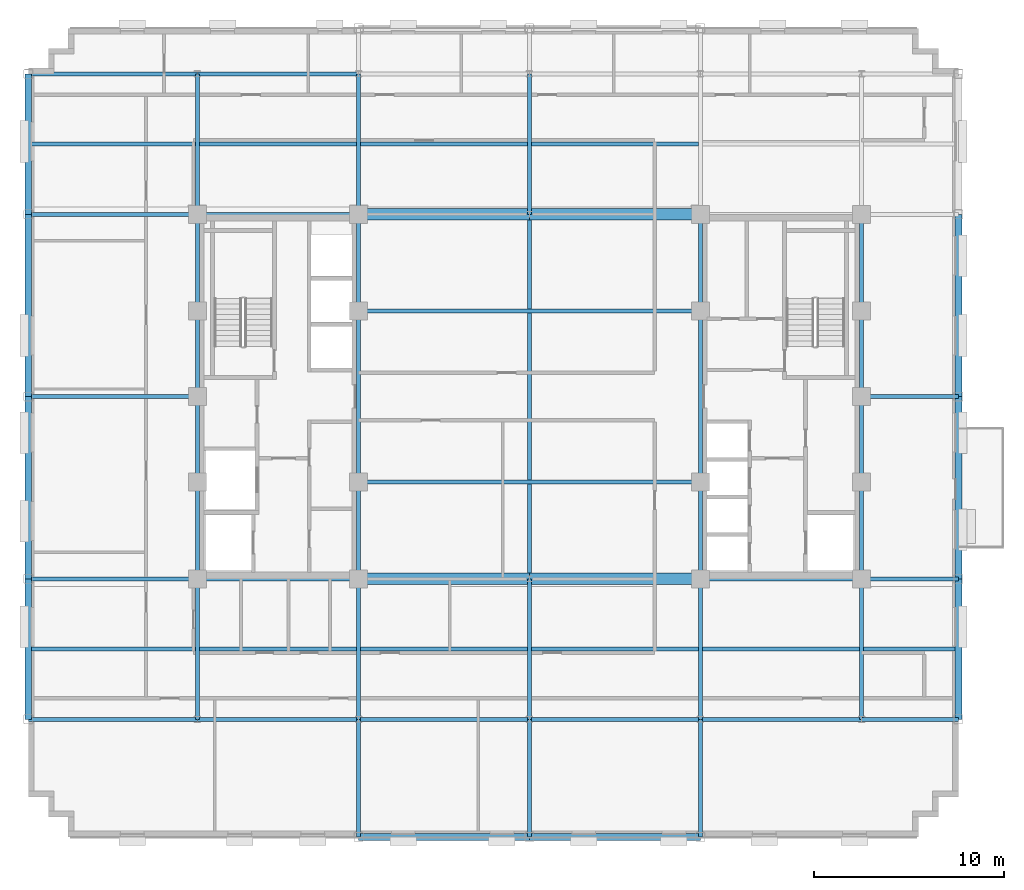
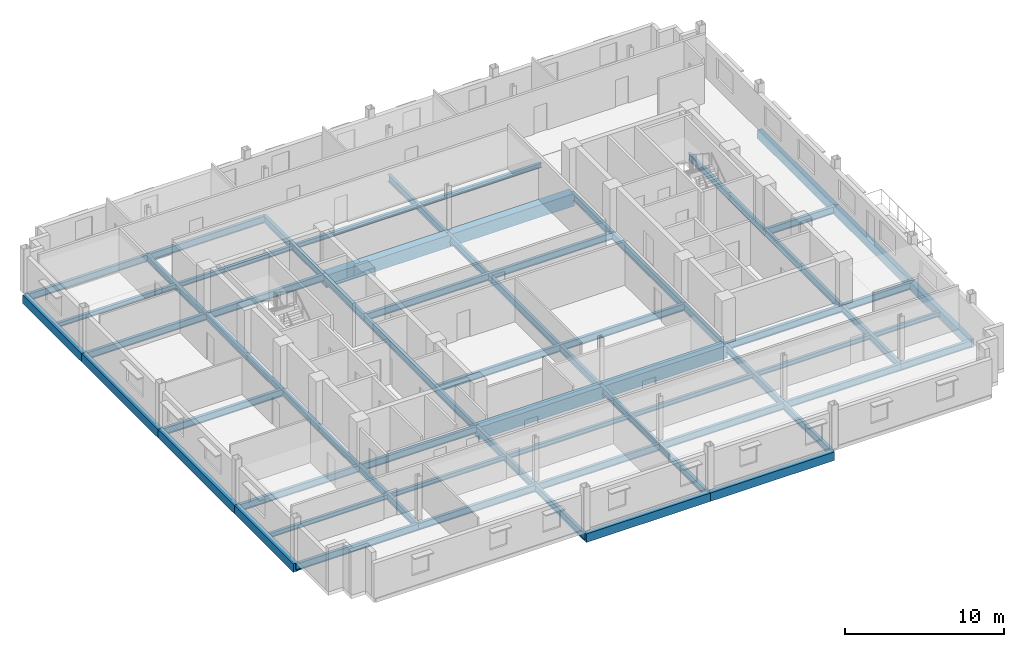
# One storey, part 5 of 15: 67 beams.
"""IFC4 building model written with IfcOpenShell, lengths in metres."""

from ifc_helpers import new_model, si_unit, direction, frame, origin, origin_2d, place, context, subcontext, project, spatial, rectangle, i_section, extrude, material, material_profile, profile_set, type_object, element, save


model = new_model("IFC4")

# Units and contexts
model_context = context("Model", 3, precision=1e-05, world=origin(), true_north=direction((0.0, 1.0)))
body_context = subcontext(model_context, "Body", "Model", "MODEL_VIEW")
ifc_project = project(units=[si_unit("LENGTHUNIT", "METRE"), si_unit("AREAUNIT", "SQUARE_METRE"), si_unit("VOLUMEUNIT", "CUBIC_METRE"), si_unit("PLANEANGLEUNIT", "RADIAN"), si_unit("MASSUNIT", "GRAM", prefix="KILO")], contexts=[model_context])

# Site, building, storey
site_placement = place(None, origin())
site = spatial("IfcSite", under=ifc_project, at=site_placement, CompositionType="ELEMENT")
building_placement = place(site_placement, origin())
building = spatial("IfcBuilding", under=site, at=building_placement, Name="Nuvemarco Arch Tower", CompositionType="ELEMENT")
storey_placement = place(building_placement, frame((0.0, 0.0, 201.85009765625)))
storey = spatial("IfcBuildingStorey", under=building, at=storey_placement, Name="L53", CompositionType="ELEMENT", Elevation=201.85009765625)

# Beams
ifc_material_1 = material(Name="Concrete C60/75", Category="concrete")
ifc_material_profile_1 = material_profile(ifc_material_1, rectangle(XDim=0.60009765625, YDim=0.949951171875, at=origin_2d()), Name="RC-BM-600x950")
ifc_profile_set_1 = profile_set([ifc_material_profile_1], Name="Concrete C60/75")
beam_type_1 = type_object("IfcBeamType", Name="BM-COUP-RC", PredefinedType="LINTEL", material=ifc_profile_set_1)
for number, where, z_axis, x_axis, name in (
    (1, (-9.0, -9.60009765625, -0.755126953125), (1.0, 0.0, 0.0), (0.0, 1.0, 0.0), "L53 structural beam BGEW_L53_0_-9.6_-9.0"),
    (2, (0.0, -9.60009765625, -0.755126953125), (1.0, 0.0, 0.0), (0.0, 1.0, 0.0), "L53 structural beam BGEW_L53_0_-9.6_+0.0"),
    (3, (-9.0, 9.60009765625, -0.755126953125), (1.0, 0.0, 0.0), (0.0, 1.0, 0.0), "L53 structural beam BGEW_L53_0_+9.6_-9.0"),
    (4, (0.0, 9.60009765625, -0.755126953125), (1.0, 0.0, 0.0), (0.0, 1.0, 0.0), "L53 structural beam BGEW_L53_0_+9.6_+0.0"),
):
    element("IfcBeam", number, at=place(storey_placement, frame(where, z_axis=z_axis, x_axis=x_axis)), inside=storey, type_object=beam_type_1, Name=name, PredefinedType="LINTEL", context=body_context, shape_type="SweptSolid", body=[
        extrude(rectangle(XDim=0.60009765625, YDim=0.949951171875, at=origin_2d()), origin(), (0.0, 0.0, 1.0), 9.0),
    ])
ifc_material_2 = material(Name="Steel S355", Category="steel")
ifc_material_profile_2 = material_profile(ifc_material_2, i_section(OverallWidth=0.2109375, OverallDepth=0.5390625, WebThickness=0.01171875, FlangeThickness=0.018798828125, FilletRadius=0.01611328125, at=origin_2d()), Name="W530x109")
ifc_profile_set_2 = profile_set([ifc_material_profile_2], Name="Steel S355")
beam_type_2 = type_object("IfcBeamType", Name="BM-GIRD-530", PredefinedType="BEAM", material=ifc_profile_set_2)
beam_1_placement = place(storey_placement, frame((-17.5, -17.0, -0.549560546875), z_axis=(0.0, 1.0, 0.0), x_axis=(-1.0, 0.0, 0.0)))
element("IfcBeam", 5, at=beam_1_placement, inside=storey, type_object=beam_type_2, Name="L53 structural beam BGNS_L53_0_-17.5_-17.0", PredefinedType="BEAM", context=body_context, shape_type="SweptSolid", body=[
    extrude(i_section(OverallWidth=0.2109375, OverallDepth=0.5390625, WebThickness=0.01171875, FlangeThickness=0.018798828125, FilletRadius=0.01611328125, at=origin_2d()), origin(), (0.0, 0.0, 1.0), 7.39990234375),
])
beam_2_placement = place(storey_placement, frame((-17.5, -9.60009765625, -0.549560546875), z_axis=(0.0, 1.0, 0.0), x_axis=(-1.0, 0.0, 0.0)))
element("IfcBeam", 6, at=beam_2_placement, inside=storey, type_object=beam_type_2, Name="L53 structural beam BGNS_L53_0_-17.5_-9.6", PredefinedType="BEAM", context=body_context, shape_type="SweptSolid", body=[
    extrude(i_section(OverallWidth=0.2109375, OverallDepth=0.5390625, WebThickness=0.01171875, FlangeThickness=0.018798828125, FilletRadius=0.01611328125, at=origin_2d()), origin(), (0.0, 0.0, 1.0), 5.10009765625),
])
for number, where, z_axis, x_axis, name in (
    (7, (-17.5, -4.5, -0.549560546875), (0.0, 1.0, 0.0), (-1.0, 0.0, 0.0), "L53 structural beam BGNS_L53_0_-17.5_-4.5"),
    (8, (-17.5, 0.0, -0.549560546875), (0.0, 1.0, 0.0), (-1.0, 0.0, 0.0), "L53 structural beam BGNS_L53_0_-17.5_+0.0"),
):
    element("IfcBeam", number, at=place(storey_placement, frame(where, z_axis=z_axis, x_axis=x_axis)), inside=storey, type_object=beam_type_2, Name=name, PredefinedType="BEAM", context=body_context, shape_type="SweptSolid", body=[
        extrude(i_section(OverallWidth=0.2109375, OverallDepth=0.5390625, WebThickness=0.01171875, FlangeThickness=0.018798828125, FilletRadius=0.01611328125, at=origin_2d()), origin(), (0.0, 0.0, 1.0), 4.5),
    ])
beam_3_placement = place(storey_placement, frame((-17.5, 4.5, -0.549560546875), z_axis=(0.0, 1.0, 0.0), x_axis=(-1.0, 0.0, 0.0)))
element("IfcBeam", 9, at=beam_3_placement, inside=storey, type_object=beam_type_2, Name="L53 structural beam BGNS_L53_0_-17.5_+4.5", PredefinedType="BEAM", context=body_context, shape_type="SweptSolid", body=[
    extrude(i_section(OverallWidth=0.2109375, OverallDepth=0.5390625, WebThickness=0.01171875, FlangeThickness=0.018798828125, FilletRadius=0.01611328125, at=origin_2d()), origin(), (0.0, 0.0, 1.0), 5.10009765625),
])
beam_4_placement = place(storey_placement, frame((-17.5, 9.60009765625, -0.549560546875), z_axis=(0.0, 1.0, 0.0), x_axis=(-1.0, 0.0, 0.0)))
element("IfcBeam", 10, at=beam_4_placement, inside=storey, type_object=beam_type_2, Name="L53 structural beam BGNS_L53_0_-17.5_+9.6", PredefinedType="BEAM", context=body_context, shape_type="SweptSolid", body=[
    extrude(i_section(OverallWidth=0.2109375, OverallDepth=0.5390625, WebThickness=0.01171875, FlangeThickness=0.018798828125, FilletRadius=0.01611328125, at=origin_2d()), origin(), (0.0, 0.0, 1.0), 7.39990234375),
])
beam_5_placement = place(storey_placement, frame((-9.0, -23.199951171875, -0.549560546875), z_axis=(0.0, 1.0, 0.0), x_axis=(-1.0, 0.0, 0.0)))
element("IfcBeam", 11, at=beam_5_placement, inside=storey, type_object=beam_type_2, Name="L53 structural beam BGNS_L53_0_-9.0_-23.2", PredefinedType="BEAM", context=body_context, shape_type="SweptSolid", body=[
    extrude(i_section(OverallWidth=0.2109375, OverallDepth=0.5390625, WebThickness=0.01171875, FlangeThickness=0.018798828125, FilletRadius=0.01611328125, at=origin_2d()), origin(), (0.0, 0.0, 1.0), 6.199951171875),
])
beam_6_placement = place(storey_placement, frame((-9.0, -17.0, -0.549560546875), z_axis=(0.0, 1.0, 0.0), x_axis=(-1.0, 0.0, 0.0)))
element("IfcBeam", 12, at=beam_6_placement, inside=storey, type_object=beam_type_2, Name="L53 structural beam BGNS_L53_0_-9.0_-17.0", PredefinedType="BEAM", context=body_context, shape_type="SweptSolid", body=[
    extrude(i_section(OverallWidth=0.2109375, OverallDepth=0.5390625, WebThickness=0.01171875, FlangeThickness=0.018798828125, FilletRadius=0.01611328125, at=origin_2d()), origin(), (0.0, 0.0, 1.0), 7.39990234375),
])
beam_7_placement = place(storey_placement, frame((-9.0, -9.60009765625, -0.549560546875), z_axis=(0.0, 1.0, 0.0), x_axis=(-1.0, 0.0, 0.0)))
element("IfcBeam", 13, at=beam_7_placement, inside=storey, type_object=beam_type_2, Name="L53 structural beam BGNS_L53_0_-9.0_-9.6", PredefinedType="BEAM", context=body_context, shape_type="SweptSolid", body=[
    extrude(i_section(OverallWidth=0.2109375, OverallDepth=0.5390625, WebThickness=0.01171875, FlangeThickness=0.018798828125, FilletRadius=0.01611328125, at=origin_2d()), origin(), (0.0, 0.0, 1.0), 5.10009765625),
])
beam_8_placement = place(storey_placement, frame((-9.0, -4.5, -0.549560546875), z_axis=(0.0, 1.0, 0.0), x_axis=(-1.0, 0.0, 0.0)))
element("IfcBeam", 14, at=beam_8_placement, inside=storey, type_object=beam_type_2, Name="L53 structural beam BGNS_L53_0_-9.0_-4.5", PredefinedType="BEAM", context=body_context, shape_type="SweptSolid", body=[
    extrude(i_section(OverallWidth=0.2109375, OverallDepth=0.5390625, WebThickness=0.01171875, FlangeThickness=0.018798828125, FilletRadius=0.01611328125, at=origin_2d()), origin(), (0.0, 0.0, 1.0), 9.0),
])
beam_9_placement = place(storey_placement, frame((-9.0, 4.5, -0.549560546875), z_axis=(0.0, 1.0, 0.0), x_axis=(-1.0, 0.0, 0.0)))
element("IfcBeam", 15, at=beam_9_placement, inside=storey, type_object=beam_type_2, Name="L53 structural beam BGNS_L53_0_-9.0_+4.5", PredefinedType="BEAM", context=body_context, shape_type="SweptSolid", body=[
    extrude(i_section(OverallWidth=0.2109375, OverallDepth=0.5390625, WebThickness=0.01171875, FlangeThickness=0.018798828125, FilletRadius=0.01611328125, at=origin_2d()), origin(), (0.0, 0.0, 1.0), 5.10009765625),
])
beam_10_placement = place(storey_placement, frame((-9.0, 9.60009765625, -0.549560546875), z_axis=(0.0, 1.0, 0.0), x_axis=(-1.0, 0.0, 0.0)))
element("IfcBeam", 16, at=beam_10_placement, inside=storey, type_object=beam_type_2, Name="L53 structural beam BGNS_L53_0_-9.0_+9.6", PredefinedType="BEAM", context=body_context, shape_type="SweptSolid", body=[
    extrude(i_section(OverallWidth=0.2109375, OverallDepth=0.5390625, WebThickness=0.01171875, FlangeThickness=0.018798828125, FilletRadius=0.01611328125, at=origin_2d()), origin(), (0.0, 0.0, 1.0), 7.39990234375),
])
beam_11_placement = place(storey_placement, frame((0.0, -23.199951171875, -0.549560546875), z_axis=(0.0, 1.0, 0.0), x_axis=(-1.0, 0.0, 0.0)))
element("IfcBeam", 17, at=beam_11_placement, inside=storey, type_object=beam_type_2, Name="L53 structural beam BGNS_L53_0_+0.0_-23.2", PredefinedType="BEAM", context=body_context, shape_type="SweptSolid", body=[
    extrude(i_section(OverallWidth=0.2109375, OverallDepth=0.5390625, WebThickness=0.01171875, FlangeThickness=0.018798828125, FilletRadius=0.01611328125, at=origin_2d()), origin(), (0.0, 0.0, 1.0), 6.199951171875),
])
beam_12_placement = place(storey_placement, frame((0.0, -17.0, -0.549560546875), z_axis=(0.0, 1.0, 0.0), x_axis=(-1.0, 0.0, 0.0)))
element("IfcBeam", 18, at=beam_12_placement, inside=storey, type_object=beam_type_2, Name="L53 structural beam BGNS_L53_0_+0.0_-17.0", PredefinedType="BEAM", context=body_context, shape_type="SweptSolid", body=[
    extrude(i_section(OverallWidth=0.2109375, OverallDepth=0.5390625, WebThickness=0.01171875, FlangeThickness=0.018798828125, FilletRadius=0.01611328125, at=origin_2d()), origin(), (0.0, 0.0, 1.0), 7.39990234375),
])
beam_13_placement = place(storey_placement, frame((0.0, -9.60009765625, -0.549560546875), z_axis=(0.0, 1.0, 0.0), x_axis=(-1.0, 0.0, 0.0)))
element("IfcBeam", 19, at=beam_13_placement, inside=storey, type_object=beam_type_2, Name="L53 structural beam BGNS_L53_0_+0.0_-9.6", PredefinedType="BEAM", context=body_context, shape_type="SweptSolid", body=[
    extrude(i_section(OverallWidth=0.2109375, OverallDepth=0.5390625, WebThickness=0.01171875, FlangeThickness=0.018798828125, FilletRadius=0.01611328125, at=origin_2d()), origin(), (0.0, 0.0, 1.0), 19.2001953125),
])
beam_14_placement = place(storey_placement, frame((0.0, 9.60009765625, -0.549560546875), z_axis=(0.0, 1.0, 0.0), x_axis=(-1.0, 0.0, 0.0)))
element("IfcBeam", 20, at=beam_14_placement, inside=storey, type_object=beam_type_2, Name="L53 structural beam BGNS_L53_0_+0.0_+9.6", PredefinedType="BEAM", context=body_context, shape_type="SweptSolid", body=[
    extrude(i_section(OverallWidth=0.2109375, OverallDepth=0.5390625, WebThickness=0.01171875, FlangeThickness=0.018798828125, FilletRadius=0.01611328125, at=origin_2d()), origin(), (0.0, 0.0, 1.0), 7.39990234375),
])
beam_15_placement = place(storey_placement, frame((9.0, -23.199951171875, -0.549560546875), z_axis=(0.0, 1.0, 0.0), x_axis=(-1.0, 0.0, 0.0)))
element("IfcBeam", 21, at=beam_15_placement, inside=storey, type_object=beam_type_2, Name="L53 structural beam BGNS_L53_0_+9.0_-23.2", PredefinedType="BEAM", context=body_context, shape_type="SweptSolid", body=[
    extrude(i_section(OverallWidth=0.2109375, OverallDepth=0.5390625, WebThickness=0.01171875, FlangeThickness=0.018798828125, FilletRadius=0.01611328125, at=origin_2d()), origin(), (0.0, 0.0, 1.0), 6.199951171875),
])
beam_16_placement = place(storey_placement, frame((9.0, -17.0, -0.549560546875), z_axis=(0.0, 1.0, 0.0), x_axis=(-1.0, 0.0, 0.0)))
element("IfcBeam", 22, at=beam_16_placement, inside=storey, type_object=beam_type_2, Name="L53 structural beam BGNS_L53_0_+9.0_-17.0", PredefinedType="BEAM", context=body_context, shape_type="SweptSolid", body=[
    extrude(i_section(OverallWidth=0.2109375, OverallDepth=0.5390625, WebThickness=0.01171875, FlangeThickness=0.018798828125, FilletRadius=0.01611328125, at=origin_2d()), origin(), (0.0, 0.0, 1.0), 7.39990234375),
])
beam_17_placement = place(storey_placement, frame((9.0, -9.60009765625, -0.549560546875), z_axis=(0.0, 1.0, 0.0), x_axis=(-1.0, 0.0, 0.0)))
element("IfcBeam", 23, at=beam_17_placement, inside=storey, type_object=beam_type_2, Name="L53 structural beam BGNS_L53_0_+9.0_-9.6", PredefinedType="BEAM", context=body_context, shape_type="SweptSolid", body=[
    extrude(i_section(OverallWidth=0.2109375, OverallDepth=0.5390625, WebThickness=0.01171875, FlangeThickness=0.018798828125, FilletRadius=0.01611328125, at=origin_2d()), origin(), (0.0, 0.0, 1.0), 5.10009765625),
])
beam_18_placement = place(storey_placement, frame((9.0, -4.5, -0.549560546875), z_axis=(0.0, 1.0, 0.0), x_axis=(-1.0, 0.0, 0.0)))
element("IfcBeam", 24, at=beam_18_placement, inside=storey, type_object=beam_type_2, Name="L53 structural beam BGNS_L53_0_+9.0_-4.5", PredefinedType="BEAM", context=body_context, shape_type="SweptSolid", body=[
    extrude(i_section(OverallWidth=0.2109375, OverallDepth=0.5390625, WebThickness=0.01171875, FlangeThickness=0.018798828125, FilletRadius=0.01611328125, at=origin_2d()), origin(), (0.0, 0.0, 1.0), 9.0),
])
beam_19_placement = place(storey_placement, frame((9.0, 4.5, -0.549560546875), z_axis=(0.0, 1.0, 0.0), x_axis=(-1.0, 0.0, 0.0)))
element("IfcBeam", 25, at=beam_19_placement, inside=storey, type_object=beam_type_2, Name="L53 structural beam BGNS_L53_0_+9.0_+4.5", PredefinedType="BEAM", context=body_context, shape_type="SweptSolid", body=[
    extrude(i_section(OverallWidth=0.2109375, OverallDepth=0.5390625, WebThickness=0.01171875, FlangeThickness=0.018798828125, FilletRadius=0.01611328125, at=origin_2d()), origin(), (0.0, 0.0, 1.0), 5.10009765625),
])
beam_20_placement = place(storey_placement, frame((17.5, -17.0, -0.549560546875), z_axis=(0.0, 1.0, 0.0), x_axis=(-1.0, 0.0, 0.0)))
element("IfcBeam", 26, at=beam_20_placement, inside=storey, type_object=beam_type_2, Name="L53 structural beam BGNS_L53_0_+17.5_-17.0", PredefinedType="BEAM", context=body_context, shape_type="SweptSolid", body=[
    extrude(i_section(OverallWidth=0.2109375, OverallDepth=0.5390625, WebThickness=0.01171875, FlangeThickness=0.018798828125, FilletRadius=0.01611328125, at=origin_2d()), origin(), (0.0, 0.0, 1.0), 7.39990234375),
])
beam_21_placement = place(storey_placement, frame((17.5, -9.60009765625, -0.549560546875), z_axis=(0.0, 1.0, 0.0), x_axis=(-1.0, 0.0, 0.0)))
element("IfcBeam", 27, at=beam_21_placement, inside=storey, type_object=beam_type_2, Name="L53 structural beam BGNS_L53_0_+17.5_-9.6", PredefinedType="BEAM", context=body_context, shape_type="SweptSolid", body=[
    extrude(i_section(OverallWidth=0.2109375, OverallDepth=0.5390625, WebThickness=0.01171875, FlangeThickness=0.018798828125, FilletRadius=0.01611328125, at=origin_2d()), origin(), (0.0, 0.0, 1.0), 5.10009765625),
])
for number, where, z_axis, x_axis, name in (
    (28, (17.5, -4.5, -0.549560546875), (0.0, 1.0, 0.0), (-1.0, 0.0, 0.0), "L53 structural beam BGNS_L53_0_+17.5_-4.5"),
    (29, (17.5, 0.0, -0.549560546875), (0.0, 1.0, 0.0), (-1.0, 0.0, 0.0), "L53 structural beam BGNS_L53_0_+17.5_+0.0"),
):
    element("IfcBeam", number, at=place(storey_placement, frame(where, z_axis=z_axis, x_axis=x_axis)), inside=storey, type_object=beam_type_2, Name=name, PredefinedType="BEAM", context=body_context, shape_type="SweptSolid", body=[
        extrude(i_section(OverallWidth=0.2109375, OverallDepth=0.5390625, WebThickness=0.01171875, FlangeThickness=0.018798828125, FilletRadius=0.01611328125, at=origin_2d()), origin(), (0.0, 0.0, 1.0), 4.5),
    ])
beam_22_placement = place(storey_placement, frame((17.5, 4.5, -0.549560546875), z_axis=(0.0, 1.0, 0.0), x_axis=(-1.0, 0.0, 0.0)))
element("IfcBeam", 30, at=beam_22_placement, inside=storey, type_object=beam_type_2, Name="L53 structural beam BGNS_L53_0_+17.5_+4.5", PredefinedType="BEAM", context=body_context, shape_type="SweptSolid", body=[
    extrude(i_section(OverallWidth=0.2109375, OverallDepth=0.5390625, WebThickness=0.01171875, FlangeThickness=0.018798828125, FilletRadius=0.01611328125, at=origin_2d()), origin(), (0.0, 0.0, 1.0), 5.10009765625),
])
beam_23_placement = place(storey_placement, frame((-26.39990234375, -17.0, -0.549560546875), z_axis=(1.0, 0.0, 0.0), x_axis=(0.0, 1.0, 0.0)))
element("IfcBeam", 31, at=beam_23_placement, inside=storey, type_object=beam_type_2, Name="L53 structural beam BGEW_L53_0_-17.0_-26.4", PredefinedType="BEAM", context=body_context, shape_type="SweptSolid", body=[
    extrude(i_section(OverallWidth=0.2109375, OverallDepth=0.5390625, WebThickness=0.01171875, FlangeThickness=0.018798828125, FilletRadius=0.01611328125, at=origin_2d()), origin(), (0.0, 0.0, 1.0), 8.89990234375),
])
beam_24_placement = place(storey_placement, frame((-17.5, -17.0, -0.549560546875), z_axis=(1.0, 0.0, 0.0), x_axis=(0.0, 1.0, 0.0)))
element("IfcBeam", 32, at=beam_24_placement, inside=storey, type_object=beam_type_2, Name="L53 structural beam BGEW_L53_0_-17.0_-17.5", PredefinedType="BEAM", context=body_context, shape_type="SweptSolid", body=[
    extrude(i_section(OverallWidth=0.2109375, OverallDepth=0.5390625, WebThickness=0.01171875, FlangeThickness=0.018798828125, FilletRadius=0.01611328125, at=origin_2d()), origin(), (0.0, 0.0, 1.0), 8.5),
])
for number, where, z_axis, x_axis, name in (
    (33, (-9.0, -17.0, -0.549560546875), (1.0, 0.0, 0.0), (0.0, 1.0, 0.0), "L53 structural beam BGEW_L53_0_-17.0_-9.0"),
    (34, (0.0, -17.0, -0.549560546875), (1.0, 0.0, 0.0), (0.0, 1.0, 0.0), "L53 structural beam BGEW_L53_0_-17.0_+0.0"),
):
    element("IfcBeam", number, at=place(storey_placement, frame(where, z_axis=z_axis, x_axis=x_axis)), inside=storey, type_object=beam_type_2, Name=name, PredefinedType="BEAM", context=body_context, shape_type="SweptSolid", body=[
        extrude(i_section(OverallWidth=0.2109375, OverallDepth=0.5390625, WebThickness=0.01171875, FlangeThickness=0.018798828125, FilletRadius=0.01611328125, at=origin_2d()), origin(), (0.0, 0.0, 1.0), 9.0),
    ])
beam_25_placement = place(storey_placement, frame((9.0, -17.0, -0.549560546875), z_axis=(1.0, 0.0, 0.0), x_axis=(0.0, 1.0, 0.0)))
element("IfcBeam", 35, at=beam_25_placement, inside=storey, type_object=beam_type_2, Name="L53 structural beam BGEW_L53_0_-17.0_+9.0", PredefinedType="BEAM", context=body_context, shape_type="SweptSolid", body=[
    extrude(i_section(OverallWidth=0.2109375, OverallDepth=0.5390625, WebThickness=0.01171875, FlangeThickness=0.018798828125, FilletRadius=0.01611328125, at=origin_2d()), origin(), (0.0, 0.0, 1.0), 8.5),
])
beam_26_placement = place(storey_placement, frame((17.5, -17.0, -0.549560546875), z_axis=(1.0, 0.0, 0.0), x_axis=(0.0, 1.0, 0.0)))
element("IfcBeam", 36, at=beam_26_placement, inside=storey, type_object=beam_type_2, Name="L53 structural beam BGEW_L53_0_-17.0_+17.5", PredefinedType="BEAM", context=body_context, shape_type="SweptSolid", body=[
    extrude(i_section(OverallWidth=0.2109375, OverallDepth=0.5390625, WebThickness=0.01171875, FlangeThickness=0.018798828125, FilletRadius=0.01611328125, at=origin_2d()), origin(), (0.0, 0.0, 1.0), 5.10009765625),
])
beam_27_placement = place(storey_placement, frame((-26.39990234375, -9.60009765625, -0.549560546875), z_axis=(1.0, 0.0, 0.0), x_axis=(0.0, 1.0, 0.0)))
element("IfcBeam", 37, at=beam_27_placement, inside=storey, type_object=beam_type_2, Name="L53 structural beam BGEW_L53_0_-9.6_-26.4", PredefinedType="BEAM", context=body_context, shape_type="SweptSolid", body=[
    extrude(i_section(OverallWidth=0.2109375, OverallDepth=0.5390625, WebThickness=0.01171875, FlangeThickness=0.018798828125, FilletRadius=0.01611328125, at=origin_2d()), origin(), (0.0, 0.0, 1.0), 8.89990234375),
])
for number, where, z_axis, x_axis, name in (
    (38, (-17.5, -9.60009765625, -0.549560546875), (1.0, 0.0, 0.0), (0.0, 1.0, 0.0), "L53 structural beam BGEW_L53_0_-9.6_-17.5"),
    (39, (9.0, -9.60009765625, -0.549560546875), (1.0, 0.0, 0.0), (0.0, 1.0, 0.0), "L53 structural beam BGEW_L53_0_-9.6_+9.0"),
):
    element("IfcBeam", number, at=place(storey_placement, frame(where, z_axis=z_axis, x_axis=x_axis)), inside=storey, type_object=beam_type_2, Name=name, PredefinedType="BEAM", context=body_context, shape_type="SweptSolid", body=[
        extrude(i_section(OverallWidth=0.2109375, OverallDepth=0.5390625, WebThickness=0.01171875, FlangeThickness=0.018798828125, FilletRadius=0.01611328125, at=origin_2d()), origin(), (0.0, 0.0, 1.0), 8.5),
    ])
beam_28_placement = place(storey_placement, frame((17.5, -9.60009765625, -0.549560546875), z_axis=(1.0, 0.0, 0.0), x_axis=(0.0, 1.0, 0.0)))
element("IfcBeam", 40, at=beam_28_placement, inside=storey, type_object=beam_type_2, Name="L53 structural beam BGEW_L53_0_-9.6_+17.5", PredefinedType="BEAM", context=body_context, shape_type="SweptSolid", body=[
    extrude(i_section(OverallWidth=0.2109375, OverallDepth=0.5390625, WebThickness=0.01171875, FlangeThickness=0.018798828125, FilletRadius=0.01611328125, at=origin_2d()), origin(), (0.0, 0.0, 1.0), 5.10009765625),
])
beam_29_placement = place(storey_placement, frame((-9.0, -4.5, -0.549560546875), z_axis=(1.0, 0.0, 0.0), x_axis=(0.0, 1.0, 0.0)))
element("IfcBeam", 41, at=beam_29_placement, inside=storey, type_object=beam_type_2, Name="L53 structural beam BGEW_L53_0_-4.5_-9.0", PredefinedType="BEAM", context=body_context, shape_type="SweptSolid", body=[
    extrude(i_section(OverallWidth=0.2109375, OverallDepth=0.5390625, WebThickness=0.01171875, FlangeThickness=0.018798828125, FilletRadius=0.01611328125, at=origin_2d()), origin(), (0.0, 0.0, 1.0), 18.0),
])
beam_30_placement = place(storey_placement, frame((-26.39990234375, 0.0, -0.549560546875), z_axis=(1.0, 0.0, 0.0), x_axis=(0.0, 1.0, 0.0)))
element("IfcBeam", 42, at=beam_30_placement, inside=storey, type_object=beam_type_2, Name="L53 structural beam BGEW_L53_0_+0.0_-26.4", PredefinedType="BEAM", context=body_context, shape_type="SweptSolid", body=[
    extrude(i_section(OverallWidth=0.2109375, OverallDepth=0.5390625, WebThickness=0.01171875, FlangeThickness=0.018798828125, FilletRadius=0.01611328125, at=origin_2d()), origin(), (0.0, 0.0, 1.0), 8.89990234375),
])
beam_31_placement = place(storey_placement, frame((17.5, 0.0, -0.549560546875), z_axis=(1.0, 0.0, 0.0), x_axis=(0.0, 1.0, 0.0)))
element("IfcBeam", 43, at=beam_31_placement, inside=storey, type_object=beam_type_2, Name="L53 structural beam BGEW_L53_0_+0.0_+17.5", PredefinedType="BEAM", context=body_context, shape_type="SweptSolid", body=[
    extrude(i_section(OverallWidth=0.2109375, OverallDepth=0.5390625, WebThickness=0.01171875, FlangeThickness=0.018798828125, FilletRadius=0.01611328125, at=origin_2d()), origin(), (0.0, 0.0, 1.0), 5.10009765625),
])
beam_32_placement = place(storey_placement, frame((-9.0, 4.5, -0.549560546875), z_axis=(1.0, 0.0, 0.0), x_axis=(0.0, 1.0, 0.0)))
element("IfcBeam", 44, at=beam_32_placement, inside=storey, type_object=beam_type_2, Name="L53 structural beam BGEW_L53_0_+4.5_-9.0", PredefinedType="BEAM", context=body_context, shape_type="SweptSolid", body=[
    extrude(i_section(OverallWidth=0.2109375, OverallDepth=0.5390625, WebThickness=0.01171875, FlangeThickness=0.018798828125, FilletRadius=0.01611328125, at=origin_2d()), origin(), (0.0, 0.0, 1.0), 18.0),
])
beam_33_placement = place(storey_placement, frame((-26.39990234375, 9.60009765625, -0.549560546875), z_axis=(1.0, 0.0, 0.0), x_axis=(0.0, 1.0, 0.0)))
element("IfcBeam", 45, at=beam_33_placement, inside=storey, type_object=beam_type_2, Name="L53 structural beam BGEW_L53_0_+9.6_-26.4", PredefinedType="BEAM", context=body_context, shape_type="SweptSolid", body=[
    extrude(i_section(OverallWidth=0.2109375, OverallDepth=0.5390625, WebThickness=0.01171875, FlangeThickness=0.018798828125, FilletRadius=0.01611328125, at=origin_2d()), origin(), (0.0, 0.0, 1.0), 8.89990234375),
])
beam_34_placement = place(storey_placement, frame((-17.5, 9.60009765625, -0.549560546875), z_axis=(1.0, 0.0, 0.0), x_axis=(0.0, 1.0, 0.0)))
element("IfcBeam", 46, at=beam_34_placement, inside=storey, type_object=beam_type_2, Name="L53 structural beam BGEW_L53_0_+9.6_-17.5", PredefinedType="BEAM", context=body_context, shape_type="SweptSolid", body=[
    extrude(i_section(OverallWidth=0.2109375, OverallDepth=0.5390625, WebThickness=0.01171875, FlangeThickness=0.018798828125, FilletRadius=0.01611328125, at=origin_2d()), origin(), (0.0, 0.0, 1.0), 8.5),
])
beam_35_placement = place(storey_placement, frame((-26.39990234375, 17.0, -0.549560546875), z_axis=(1.0, 0.0, 0.0), x_axis=(0.0, 1.0, 0.0)))
element("IfcBeam", 47, at=beam_35_placement, inside=storey, type_object=beam_type_2, Name="L53 structural beam BGEW_L53_0_+17.0_-26.4", PredefinedType="BEAM", context=body_context, shape_type="SweptSolid", body=[
    extrude(i_section(OverallWidth=0.2109375, OverallDepth=0.5390625, WebThickness=0.01171875, FlangeThickness=0.018798828125, FilletRadius=0.01611328125, at=origin_2d()), origin(), (0.0, 0.0, 1.0), 8.89990234375),
])
beam_36_placement = place(storey_placement, frame((-17.5, 17.0, -0.549560546875), z_axis=(1.0, 0.0, 0.0), x_axis=(0.0, 1.0, 0.0)))
element("IfcBeam", 48, at=beam_36_placement, inside=storey, type_object=beam_type_2, Name="L53 structural beam BGEW_L53_0_+17.0_-17.5", PredefinedType="BEAM", context=body_context, shape_type="SweptSolid", body=[
    extrude(i_section(OverallWidth=0.2109375, OverallDepth=0.5390625, WebThickness=0.01171875, FlangeThickness=0.018798828125, FilletRadius=0.01611328125, at=origin_2d()), origin(), (0.0, 0.0, 1.0), 8.5),
])
ifc_material_profile_3 = material_profile(ifc_material_2, i_section(OverallWidth=0.202880859375, OverallDepth=0.346923828125, WebThickness=0.0078125, FlangeThickness=0.013427734375, FilletRadius=0.014892578125, at=origin_2d()), Name="W360x64")
ifc_profile_set_3 = profile_set([ifc_material_profile_3], Name="Steel S355")
beam_type_3 = type_object("IfcBeamType", Name="BM-JOIST-360", PredefinedType="JOIST", material=ifc_profile_set_3)
beam_37_placement = place(storey_placement, frame((-26.22509765625, -13.300048828125, -0.45361328125), z_axis=(1.0, 0.0, 0.0), x_axis=(0.0, 1.0, 0.0)))
element("IfcBeam", 49, at=beam_37_placement, inside=storey, type_object=beam_type_3, Name="L53 structural beam BJ_L53_0_-13.3_-26.4", PredefinedType="JOIST", context=body_context, shape_type="SweptSolid", body=[
    extrude(i_section(OverallWidth=0.202880859375, OverallDepth=0.346923828125, WebThickness=0.0078125, FlangeThickness=0.013427734375, FilletRadius=0.014892578125, at=origin_2d()), origin(), (0.0, 0.0, 1.0), 8.61962890625),
])
beam_38_placement = place(storey_placement, frame((-17.39453125, -13.300048828125, -0.45361328125), z_axis=(1.0, 0.0, 0.0), x_axis=(0.0, 1.0, 0.0)))
element("IfcBeam", 50, at=beam_38_placement, inside=storey, type_object=beam_type_3, Name="L53 structural beam BJ_L53_0_-13.3_-17.5", PredefinedType="JOIST", context=body_context, shape_type="SweptSolid", body=[
    extrude(i_section(OverallWidth=0.202880859375, OverallDepth=0.346923828125, WebThickness=0.0078125, FlangeThickness=0.013427734375, FilletRadius=0.014892578125, at=origin_2d()), origin(), (0.0, 0.0, 1.0), 8.2890625),
])
for number, where, z_axis, x_axis, name in (
    (51, (-8.89453125, -13.300048828125, -0.45361328125), (1.0, 0.0, 0.0), (0.0, 1.0, 0.0), "L53 structural beam BJ_L53_0_-13.3_-9.0"),
    (52, (0.10546875, -13.300048828125, -0.45361328125), (1.0, 0.0, 0.0), (0.0, 1.0, 0.0), "L53 structural beam BJ_L53_0_-13.3_+0.0"),
):
    element("IfcBeam", number, at=place(storey_placement, frame(where, z_axis=z_axis, x_axis=x_axis)), inside=storey, type_object=beam_type_3, Name=name, PredefinedType="JOIST", context=body_context, shape_type="SweptSolid", body=[
        extrude(i_section(OverallWidth=0.202880859375, OverallDepth=0.346923828125, WebThickness=0.0078125, FlangeThickness=0.013427734375, FilletRadius=0.014892578125, at=origin_2d()), origin(), (0.0, 0.0, 1.0), 8.7890625),
    ])
beam_39_placement = place(storey_placement, frame((9.10546875, -13.300048828125, -0.45361328125), z_axis=(1.0, 0.0, 0.0), x_axis=(0.0, 1.0, 0.0)))
element("IfcBeam", 53, at=beam_39_placement, inside=storey, type_object=beam_type_3, Name="L53 structural beam BJ_L53_0_-13.3_+9.0", PredefinedType="JOIST", context=body_context, shape_type="SweptSolid", body=[
    extrude(i_section(OverallWidth=0.202880859375, OverallDepth=0.346923828125, WebThickness=0.0078125, FlangeThickness=0.013427734375, FilletRadius=0.014892578125, at=origin_2d()), origin(), (0.0, 0.0, 1.0), 8.2890625),
])
beam_40_placement = place(storey_placement, frame((17.60546875, -13.300048828125, -0.45361328125), z_axis=(1.0, 0.0, 0.0), x_axis=(0.0, 1.0, 0.0)))
element("IfcBeam", 54, at=beam_40_placement, inside=storey, type_object=beam_type_3, Name="L53 structural beam BJ_L53_0_-13.3_+17.5", PredefinedType="JOIST", context=body_context, shape_type="SweptSolid", body=[
    extrude(i_section(OverallWidth=0.202880859375, OverallDepth=0.346923828125, WebThickness=0.0078125, FlangeThickness=0.013427734375, FilletRadius=0.014892578125, at=origin_2d()), origin(), (0.0, 0.0, 1.0), 4.819580078125),
])
beam_41_placement = place(storey_placement, frame((-26.22509765625, 13.300048828125, -0.45361328125), z_axis=(1.0, 0.0, 0.0), x_axis=(0.0, 1.0, 0.0)))
element("IfcBeam", 55, at=beam_41_placement, inside=storey, type_object=beam_type_3, Name="L53 structural beam BJ_L53_0_+13.3_-26.4", PredefinedType="JOIST", context=body_context, shape_type="SweptSolid", body=[
    extrude(i_section(OverallWidth=0.202880859375, OverallDepth=0.346923828125, WebThickness=0.0078125, FlangeThickness=0.013427734375, FilletRadius=0.014892578125, at=origin_2d()), origin(), (0.0, 0.0, 1.0), 8.61962890625),
])
beam_42_placement = place(storey_placement, frame((-17.39453125, 13.300048828125, -0.45361328125), z_axis=(1.0, 0.0, 0.0), x_axis=(0.0, 1.0, 0.0)))
element("IfcBeam", 56, at=beam_42_placement, inside=storey, type_object=beam_type_3, Name="L53 structural beam BJ_L53_0_+13.3_-17.5", PredefinedType="JOIST", context=body_context, shape_type="SweptSolid", body=[
    extrude(i_section(OverallWidth=0.202880859375, OverallDepth=0.346923828125, WebThickness=0.0078125, FlangeThickness=0.013427734375, FilletRadius=0.014892578125, at=origin_2d()), origin(), (0.0, 0.0, 1.0), 8.2890625),
])
for number, where, z_axis, x_axis, name in (
    (57, (-8.89453125, 13.300048828125, -0.45361328125), (1.0, 0.0, 0.0), (0.0, 1.0, 0.0), "L53 structural beam BJ_L53_0_+13.3_-9.0"),
    (58, (0.10546875, 13.300048828125, -0.45361328125), (1.0, 0.0, 0.0), (0.0, 1.0, 0.0), "L53 structural beam BJ_L53_0_+13.3_+0.0"),
):
    element("IfcBeam", number, at=place(storey_placement, frame(where, z_axis=z_axis, x_axis=x_axis)), inside=storey, type_object=beam_type_3, Name=name, PredefinedType="JOIST", context=body_context, shape_type="SweptSolid", body=[
        extrude(i_section(OverallWidth=0.202880859375, OverallDepth=0.346923828125, WebThickness=0.0078125, FlangeThickness=0.013427734375, FilletRadius=0.014892578125, at=origin_2d()), origin(), (0.0, 0.0, 1.0), 8.7890625),
    ])
ifc_material_3 = material(Name="Precast concrete C45/55", Category="concrete")
ifc_material_profile_4 = material_profile(ifc_material_3, rectangle(XDim=0.35009765625, YDim=0.64990234375, at=origin_2d()), Name="PC-SP-350x650")
ifc_profile_set_4 = profile_set([ifc_material_profile_4], Name="Precast concrete C45/55")
beam_type_4 = type_object("IfcBeamType", Name="BM-SPAN-RC", PredefinedType="SPANDREL", material=ifc_profile_set_4)
beam_43_placement = place(storey_placement, frame((-26.39990234375, -17.0, -0.60498046875), z_axis=(0.0, 1.0, 0.0), x_axis=(-1.0, 0.0, 0.0)))
element("IfcBeam", 59, at=beam_43_placement, inside=storey, type_object=beam_type_4, Name="L53 structural beam BGNS_L53_0_-26.4_-17.0", PredefinedType="SPANDREL", context=body_context, shape_type="SweptSolid", body=[
    extrude(rectangle(XDim=0.35009765625, YDim=0.64990234375, at=origin_2d()), origin(), (0.0, 0.0, 1.0), 7.39990234375),
])
for number, where, z_axis, x_axis, name in (
    (60, (-26.39990234375, -9.60009765625, -0.60498046875), (0.0, 1.0, 0.0), (-1.0, 0.0, 0.0), "L53 structural beam BGNS_L53_0_-26.4_-9.6"),
    (61, (-26.39990234375, 0.0, -0.60498046875), (0.0, 1.0, 0.0), (-1.0, 0.0, 0.0), "L53 structural beam BGNS_L53_0_-26.4_+0.0"),
):
    element("IfcBeam", number, at=place(storey_placement, frame(where, z_axis=z_axis, x_axis=x_axis)), inside=storey, type_object=beam_type_4, Name=name, PredefinedType="SPANDREL", context=body_context, shape_type="SweptSolid", body=[
        extrude(rectangle(XDim=0.35009765625, YDim=0.64990234375, at=origin_2d()), origin(), (0.0, 0.0, 1.0), 9.60009765625),
    ])
for number, where, z_axis, x_axis, name in (
    (62, (-26.39990234375, 9.60009765625, -0.60498046875), (0.0, 1.0, 0.0), (-1.0, 0.0, 0.0), "L53 structural beam BGNS_L53_0_-26.4_+9.6"),
    (63, (22.60009765625, -17.0, -0.60498046875), (0.0, 1.0, 0.0), (-1.0, 0.0, 0.0), "L53 structural beam BGNS_L53_0_+22.6_-17.0"),
):
    element("IfcBeam", number, at=place(storey_placement, frame(where, z_axis=z_axis, x_axis=x_axis)), inside=storey, type_object=beam_type_4, Name=name, PredefinedType="SPANDREL", context=body_context, shape_type="SweptSolid", body=[
        extrude(rectangle(XDim=0.35009765625, YDim=0.64990234375, at=origin_2d()), origin(), (0.0, 0.0, 1.0), 7.39990234375),
    ])
for number, where, z_axis, x_axis, name in (
    (64, (22.60009765625, -9.60009765625, -0.60498046875), (0.0, 1.0, 0.0), (-1.0, 0.0, 0.0), "L53 structural beam BGNS_L53_0_+22.6_-9.6"),
    (65, (22.60009765625, 0.0, -0.60498046875), (0.0, 1.0, 0.0), (-1.0, 0.0, 0.0), "L53 structural beam BGNS_L53_0_+22.6_+0.0"),
):
    element("IfcBeam", number, at=place(storey_placement, frame(where, z_axis=z_axis, x_axis=x_axis)), inside=storey, type_object=beam_type_4, Name=name, PredefinedType="SPANDREL", context=body_context, shape_type="SweptSolid", body=[
        extrude(rectangle(XDim=0.35009765625, YDim=0.64990234375, at=origin_2d()), origin(), (0.0, 0.0, 1.0), 9.60009765625),
    ])
for number, where, z_axis, x_axis, name in (
    (66, (-9.0, -23.199951171875, -0.60498046875), (1.0, 0.0, 0.0), (0.0, 1.0, 0.0), "L53 structural beam BGEW_L53_0_-23.2_-9.0"),
    (67, (0.0, -23.199951171875, -0.60498046875), (1.0, 0.0, 0.0), (0.0, 1.0, 0.0), "L53 structural beam BGEW_L53_0_-23.2_+0.0"),
):
    element("IfcBeam", number, at=place(storey_placement, frame(where, z_axis=z_axis, x_axis=x_axis)), inside=storey, type_object=beam_type_4, Name=name, PredefinedType="SPANDREL", context=body_context, shape_type="SweptSolid", body=[
        extrude(rectangle(XDim=0.35009765625, YDim=0.64990234375, at=origin_2d()), origin(), (0.0, 0.0, 1.0), 9.0),
    ])

save(model, "model.ifc")
